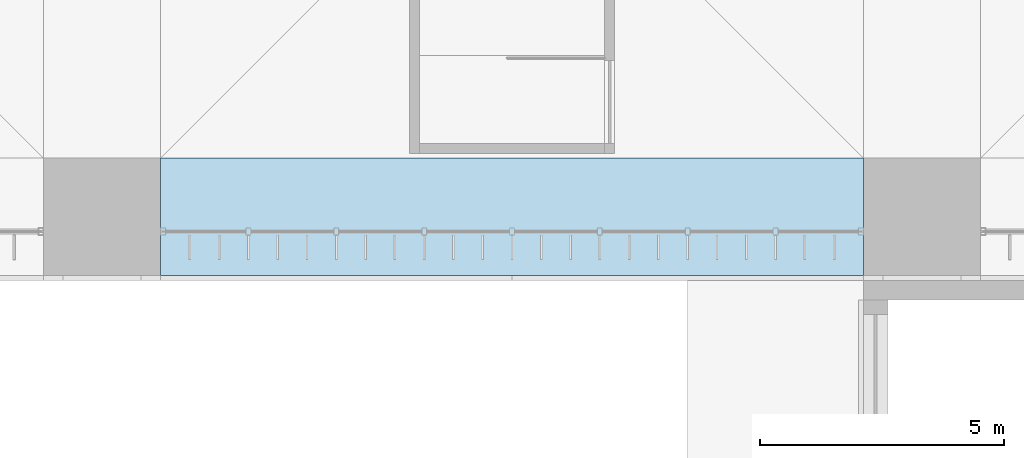
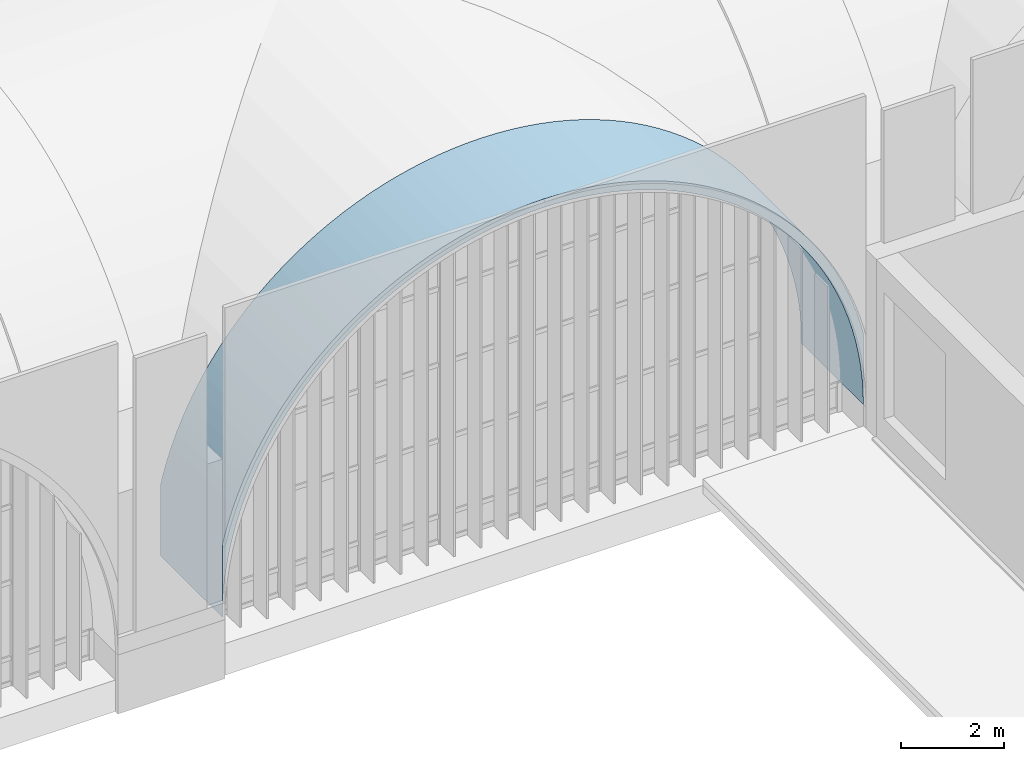
# One storey, part 122 of 169: 1 roof.
"""IFC4 building model written with IfcOpenShell, lengths in metres."""

from ifc_helpers import new_model, si_unit, direction, frame, origin, place, context, subcontext, project, spatial, polygons, material, layer, layer_set, type_object, element, save


model = new_model("IFC4")

# Units and contexts
model_context = context("Model", 3, precision=1e-05, world=origin(), true_north=direction((0.0, 1.0)))
body_context = subcontext(model_context, "Body", "Model", "MODEL_VIEW")
ifc_project = project(units=[si_unit("LENGTHUNIT", "METRE"), si_unit("AREAUNIT", "SQUARE_METRE"), si_unit("VOLUMEUNIT", "CUBIC_METRE"), si_unit("PLANEANGLEUNIT", "RADIAN"), si_unit("MASSUNIT", "GRAM", prefix="KILO")], contexts=[model_context])

# Site, building, storey
site_placement = place(None, origin())
site = spatial("IfcSite", under=ifc_project, at=site_placement, CompositionType="ELEMENT")
building_placement = place(site_placement, origin())
building = spatial("IfcBuilding", under=site, at=building_placement, Name="Verrick Yard Athletic Hall", CompositionType="ELEMENT")
storey_placement = place(building_placement, frame((0.0, 0.0, 4.39990234375)))
storey = spatial("IfcBuildingStorey", under=building, at=storey_placement, Name="L01", CompositionType="ELEMENT", Elevation=4.39990234375)

# Roof
ifc_material = material(Name="Concrete 35 MPa", Category="concrete")
ifc_layer = layer(ifc_material, 0.199951171875)
ifc_layer_set = layer_set([ifc_layer], Name="Arch rib 200")
roof_type = type_object("IfcRoofType", Name="Arch rib 200", PredefinedType="BARREL_ROOF", material=ifc_layer_set)
roof_placement = place(storey_placement, origin())
element("IfcRoof", 1, at=roof_placement, inside=storey, type_object=roof_type, Name="Vault rib S3", PredefinedType="BARREL_ROOF", context=body_context, shape_type="Tessellation", body=[
    polygons([(74.800048828125, 18.0, 2.352294921875), (74.800048828125, 18.0, 0.650146484375), (74.806884765625, 18.0, 0.964111328125), (74.827392578125, 18.0, 1.277587890625), (74.861572265625, 18.0, 1.58984375), (74.909423828125, 18.0, 1.900390625), (74.970703125, 18.0, 2.20849609375), (75.04541015625, 18.0, 2.513671875), (75.13330078125, 18.0, 2.815185546875), (75.234130859375, 18.0, 3.112548828125), (75.34814453125, 18.0, 3.405517578125), (75.474609375, 18.0, 3.693115234375), (75.613525390625, 18.0, 3.974609375), (75.7646484375, 18.0, 4.25), (75.927490234375, 18.0, 4.518798828125), (76.10205078125, 18.0, 4.77978515625), (76.287841796875, 18.0, 5.033203125), (76.484619140625, 18.0, 5.278076171875), (76.691650390625, 18.0, 5.514404296875), (76.90869140625, 18.0, 5.7412109375), (77.1357421875, 18.0, 5.95849609375), (77.371826171875, 18.0, 6.16552734375), (77.616943359375, 18.0, 6.3623046875), (77.8701171875, 18.0, 6.548095703125), (78.13134765625, 18.0, 6.722412109375), (78.39990234375, 18.0, 6.885498046875), (78.67529296875, 18.0, 7.03662109375), (78.95703125, 18.0, 7.175537109375), (79.24462890625, 18.0, 7.302001953125), (79.53759765625, 18.0, 7.416015625), (79.8349609375, 18.0, 7.516845703125), (80.136474609375, 18.0, 7.604736328125), (80.441650390625, 18.0, 7.679443359375), (80.749755859375, 18.0, 7.74072265625), (81.060302734375, 18.0, 7.78857421875), (81.37255859375, 18.0, 7.82275390625), (81.685791015625, 18.0, 7.84326171875), (82.0, 18.0, 7.85009765625), (82.314208984375, 18.0, 7.84326171875), (82.62744140625, 18.0, 7.82275390625), (82.939697265625, 18.0, 7.78857421875), (83.250244140625, 18.0, 7.74072265625), (83.558349609375, 18.0, 7.679443359375), (83.863525390625, 18.0, 7.604736328125), (84.1650390625, 18.0, 7.516845703125), (84.46240234375, 18.0, 7.416015625), (84.75537109375, 18.0, 7.302001953125), (85.04296875, 18.0, 7.175537109375), (85.32470703125, 18.0, 7.03662109375), (85.60009765625, 18.0, 6.885498046875), (85.86865234375, 18.0, 6.722412109375), (86.1298828125, 18.0, 6.548095703125), (86.383056640625, 18.0, 6.3623046875), (86.628173828125, 18.0, 6.16552734375), (86.8642578125, 18.0, 5.95849609375), (87.09130859375, 18.0, 5.7412109375), (87.308349609375, 18.0, 5.514404296875), (87.515380859375, 18.0, 5.278076171875), (87.712158203125, 18.0, 5.033203125), (87.89794921875, 18.0, 4.77978515625), (88.072509765625, 18.0, 4.518798828125), (88.2353515625, 18.0, 4.25), (88.386474609375, 18.0, 3.974609375), (88.525390625, 18.0, 3.693115234375), (88.65185546875, 18.0, 3.405517578125), (88.765869140625, 18.0, 3.112548828125), (88.86669921875, 18.0, 2.815185546875), (88.95458984375, 18.0, 2.513671875), (89.029296875, 18.0, 2.20849609375), (89.090576171875, 18.0, 1.900390625), (89.138427734375, 18.0, 1.58984375), (89.172607421875, 18.0, 1.277587890625), (89.193115234375, 18.0, 0.964111328125), (89.199951171875, 18.0, 0.650146484375), (89.199951171875, 18.0, 2.352294921875), (89.14794921875, 18.0, 2.5654296875), (89.0576171875, 18.0, 2.875244140625), (88.95361328125, 18.0, 3.180908203125), (88.836669921875, 18.0, 3.48193359375), (88.706787109375, 18.0, 3.777587890625), (88.56396484375, 18.0, 4.06689453125), (88.40869140625, 18.0, 4.35009765625), (88.2412109375, 18.0, 4.6259765625), (88.061767578125, 18.0, 4.89453125), (87.870849609375, 18.0, 5.15478515625), (87.668701171875, 18.0, 5.40673828125), (87.455810546875, 18.0, 5.6494140625), (87.232666015625, 18.0, 5.8828125), (86.99951171875, 18.0, 6.10595703125), (86.756591796875, 18.0, 6.31884765625), (86.5048828125, 18.0, 6.52099609375), (86.244384765625, 18.0, 6.7119140625), (85.97607421875, 18.0, 6.89111328125), (85.699951171875, 18.0, 7.05859375), (85.4169921875, 18.0, 7.214111328125), (85.12744140625, 18.0, 7.356689453125), (84.831787109375, 18.0, 7.48681640625), (84.531005859375, 18.0, 7.603759765625), (84.22509765625, 18.0, 7.70751953125), (83.915283203125, 18.0, 7.798095703125), (83.601806640625, 18.0, 7.874755859375), (83.284912109375, 18.0, 7.937744140625), (82.9658203125, 18.0, 7.98681640625), (82.64501953125, 18.0, 8.02197265625), (82.32275390625, 18.0, 8.043212890625), (82.0, 18.0, 8.050048828125), (81.67724609375, 18.0, 8.043212890625), (81.35498046875, 18.0, 8.02197265625), (81.0341796875, 18.0, 7.98681640625), (80.715087890625, 18.0, 7.937744140625), (80.398193359375, 18.0, 7.874755859375), (80.084716796875, 18.0, 7.798095703125), (79.77490234375, 18.0, 7.70751953125), (79.468994140625, 18.0, 7.603759765625), (79.168212890625, 18.0, 7.48681640625), (78.87255859375, 18.0, 7.356689453125), (78.5830078125, 18.0, 7.214111328125), (78.300048828125, 18.0, 7.05859375), (78.02392578125, 18.0, 6.89111328125), (77.755615234375, 18.0, 6.7119140625), (77.4951171875, 18.0, 6.52099609375), (77.243408203125, 18.0, 6.31884765625), (77.00048828125, 18.0, 6.10595703125), (76.767333984375, 18.0, 5.8828125), (76.544189453125, 18.0, 5.6494140625), (76.331298828125, 18.0, 5.40673828125), (76.129150390625, 18.0, 5.15478515625), (75.938232421875, 18.0, 4.89453125), (75.7587890625, 18.0, 4.6259765625), (75.59130859375, 18.0, 4.35009765625), (75.43603515625, 18.0, 4.06689453125), (75.293212890625, 18.0, 3.777587890625), (75.163330078125, 18.0, 3.48193359375), (75.04638671875, 18.0, 3.180908203125), (74.9423828125, 18.0, 2.875244140625), (74.85205078125, 18.0, 2.5654296875), (74.800048828125, 20.39990234375, 2.352294921875), (74.800048828125, 20.39990234375, 0.650146484375), (74.806884765625, 20.39990234375, 0.964111328125), (74.827392578125, 20.39990234375, 1.277587890625), (74.861572265625, 20.39990234375, 1.58984375), (74.909423828125, 20.39990234375, 1.900390625), (74.970703125, 20.39990234375, 2.20849609375), (75.04541015625, 20.39990234375, 2.513671875), (75.13330078125, 20.39990234375, 2.815185546875), (75.234130859375, 20.39990234375, 3.112548828125), (75.34814453125, 20.39990234375, 3.405517578125), (75.474609375, 20.39990234375, 3.693115234375), (75.613525390625, 20.39990234375, 3.974609375), (75.7646484375, 20.39990234375, 4.25), (75.927490234375, 20.39990234375, 4.518798828125), (76.10205078125, 20.39990234375, 4.77978515625), (76.287841796875, 20.39990234375, 5.033203125), (76.484619140625, 20.39990234375, 5.278076171875), (76.691650390625, 20.39990234375, 5.514404296875), (76.90869140625, 20.39990234375, 5.7412109375), (77.1357421875, 20.39990234375, 5.95849609375), (77.371826171875, 20.39990234375, 6.16552734375), (77.616943359375, 20.39990234375, 6.3623046875), (77.8701171875, 20.39990234375, 6.548095703125), (78.13134765625, 20.39990234375, 6.722412109375), (78.39990234375, 20.39990234375, 6.885498046875), (78.67529296875, 20.39990234375, 7.03662109375), (78.95703125, 20.39990234375, 7.175537109375), (79.24462890625, 20.39990234375, 7.302001953125), (79.53759765625, 20.39990234375, 7.416015625), (79.8349609375, 20.39990234375, 7.516845703125), (80.136474609375, 20.39990234375, 7.604736328125), (80.441650390625, 20.39990234375, 7.679443359375), (80.749755859375, 20.39990234375, 7.74072265625), (81.060302734375, 20.39990234375, 7.78857421875), (81.37255859375, 20.39990234375, 7.82275390625), (81.685791015625, 20.39990234375, 7.84326171875), (82.0, 20.39990234375, 7.85009765625), (82.314208984375, 20.39990234375, 7.84326171875), (82.62744140625, 20.39990234375, 7.82275390625), (82.939697265625, 20.39990234375, 7.78857421875), (83.250244140625, 20.39990234375, 7.74072265625), (83.558349609375, 20.39990234375, 7.679443359375), (83.863525390625, 20.39990234375, 7.604736328125), (84.1650390625, 20.39990234375, 7.516845703125), (84.46240234375, 20.39990234375, 7.416015625), (84.75537109375, 20.39990234375, 7.302001953125), (85.04296875, 20.39990234375, 7.175537109375), (85.32470703125, 20.39990234375, 7.03662109375), (85.60009765625, 20.39990234375, 6.885498046875), (85.86865234375, 20.39990234375, 6.722412109375), (86.1298828125, 20.39990234375, 6.548095703125), (86.383056640625, 20.39990234375, 6.3623046875), (86.628173828125, 20.39990234375, 6.16552734375), (86.8642578125, 20.39990234375, 5.95849609375), (87.09130859375, 20.39990234375, 5.7412109375), (87.308349609375, 20.39990234375, 5.514404296875), (87.515380859375, 20.39990234375, 5.278076171875), (87.712158203125, 20.39990234375, 5.033203125), (87.89794921875, 20.39990234375, 4.77978515625), (88.072509765625, 20.39990234375, 4.518798828125), (88.2353515625, 20.39990234375, 4.25), (88.386474609375, 20.39990234375, 3.974609375), (88.525390625, 20.39990234375, 3.693115234375), (88.65185546875, 20.39990234375, 3.405517578125), (88.765869140625, 20.39990234375, 3.112548828125), (88.86669921875, 20.39990234375, 2.815185546875), (88.95458984375, 20.39990234375, 2.513671875), (89.029296875, 20.39990234375, 2.20849609375), (89.090576171875, 20.39990234375, 1.900390625), (89.138427734375, 20.39990234375, 1.58984375), (89.172607421875, 20.39990234375, 1.277587890625), (89.193115234375, 20.39990234375, 0.964111328125), (89.199951171875, 20.39990234375, 0.650146484375), (89.199951171875, 20.39990234375, 2.352294921875), (89.14794921875, 20.39990234375, 2.5654296875), (89.0576171875, 20.39990234375, 2.875244140625), (88.95361328125, 20.39990234375, 3.180908203125), (88.836669921875, 20.39990234375, 3.48193359375), (88.706787109375, 20.39990234375, 3.777587890625), (88.56396484375, 20.39990234375, 4.06689453125), (88.40869140625, 20.39990234375, 4.35009765625), (88.2412109375, 20.39990234375, 4.6259765625), (88.061767578125, 20.39990234375, 4.89453125), (87.870849609375, 20.39990234375, 5.15478515625), (87.668701171875, 20.39990234375, 5.40673828125), (87.455810546875, 20.39990234375, 5.6494140625), (87.232666015625, 20.39990234375, 5.8828125), (86.99951171875, 20.39990234375, 6.10595703125), (86.756591796875, 20.39990234375, 6.31884765625), (86.5048828125, 20.39990234375, 6.52099609375), (86.244384765625, 20.39990234375, 6.7119140625), (85.97607421875, 20.39990234375, 6.89111328125), (85.699951171875, 20.39990234375, 7.05859375), (85.4169921875, 20.39990234375, 7.214111328125), (85.12744140625, 20.39990234375, 7.356689453125), (84.831787109375, 20.39990234375, 7.48681640625), (84.531005859375, 20.39990234375, 7.603759765625), (84.22509765625, 20.39990234375, 7.70751953125), (83.915283203125, 20.39990234375, 7.798095703125), (83.601806640625, 20.39990234375, 7.874755859375), (83.284912109375, 20.39990234375, 7.937744140625), (82.9658203125, 20.39990234375, 7.98681640625), (82.64501953125, 20.39990234375, 8.02197265625), (82.32275390625, 20.39990234375, 8.043212890625), (82.0, 20.39990234375, 8.050048828125), (81.67724609375, 20.39990234375, 8.043212890625), (81.35498046875, 20.39990234375, 8.02197265625), (81.0341796875, 20.39990234375, 7.98681640625), (80.715087890625, 20.39990234375, 7.937744140625), (80.398193359375, 20.39990234375, 7.874755859375), (80.084716796875, 20.39990234375, 7.798095703125), (79.77490234375, 20.39990234375, 7.70751953125), (79.468994140625, 20.39990234375, 7.603759765625), (79.168212890625, 20.39990234375, 7.48681640625), (78.87255859375, 20.39990234375, 7.356689453125), (78.5830078125, 20.39990234375, 7.214111328125), (78.300048828125, 20.39990234375, 7.05859375), (78.02392578125, 20.39990234375, 6.89111328125), (77.755615234375, 20.39990234375, 6.7119140625), (77.4951171875, 20.39990234375, 6.52099609375), (77.243408203125, 20.39990234375, 6.31884765625), (77.00048828125, 20.39990234375, 6.10595703125), (76.767333984375, 20.39990234375, 5.8828125), (76.544189453125, 20.39990234375, 5.6494140625), (76.331298828125, 20.39990234375, 5.40673828125), (76.129150390625, 20.39990234375, 5.15478515625), (75.938232421875, 20.39990234375, 4.89453125), (75.7587890625, 20.39990234375, 4.6259765625), (75.59130859375, 20.39990234375, 4.35009765625), (75.43603515625, 20.39990234375, 4.06689453125), (75.293212890625, 20.39990234375, 3.777587890625), (75.163330078125, 20.39990234375, 3.48193359375), (75.04638671875, 20.39990234375, 3.180908203125), (74.9423828125, 20.39990234375, 2.875244140625), (74.85205078125, 20.39990234375, 2.5654296875)], [[[1, 2, 3]], [[137, 139, 138]], [[136, 1, 3]], [[272, 139, 137]], [[136, 3, 4]], [[272, 140, 139]], [[136, 4, 5]], [[272, 141, 140]], [[136, 5, 6]], [[272, 142, 141]], [[136, 6, 7]], [[272, 143, 142]], [[136, 7, 8]], [[272, 144, 143]], [[136, 8, 9]], [[272, 145, 144]], [[136, 9, 10]], [[272, 146, 145]], [[136, 10, 11]], [[272, 147, 146]], [[136, 11, 12]], [[272, 148, 147]], [[136, 12, 13]], [[272, 149, 148]], [[73, 74, 75]], [[209, 211, 210]], [[72, 73, 75]], [[208, 211, 209]], [[71, 72, 75]], [[207, 211, 208]], [[70, 71, 75]], [[206, 211, 207]], [[69, 70, 75]], [[205, 211, 206]], [[68, 69, 75]], [[204, 211, 205]], [[67, 68, 75]], [[203, 211, 204]], [[66, 67, 75]], [[202, 211, 203]], [[65, 66, 75]], [[201, 211, 202]], [[64, 65, 75]], [[200, 211, 201]], [[63, 64, 75]], [[199, 211, 200]], [[63, 75, 76]], [[199, 212, 211]], [[63, 76, 77]], [[199, 213, 212]], [[62, 63, 77]], [[198, 213, 199]], [[62, 77, 78]], [[198, 214, 213]], [[61, 62, 78]], [[197, 214, 198]], [[61, 78, 79]], [[197, 215, 214]], [[60, 61, 79]], [[196, 215, 197]], [[60, 79, 80]], [[196, 216, 215]], [[59, 60, 80]], [[195, 216, 196]], [[59, 80, 81]], [[195, 217, 216]], [[58, 59, 81]], [[194, 217, 195]], [[58, 81, 82]], [[194, 218, 217]], [[57, 58, 82]], [[193, 218, 194]], [[57, 82, 83]], [[193, 219, 218]], [[56, 57, 83]], [[192, 219, 193]], [[56, 83, 84]], [[192, 220, 219]], [[55, 56, 84]], [[191, 220, 192]], [[55, 84, 85]], [[191, 221, 220]], [[54, 55, 85]], [[190, 221, 191]], [[54, 85, 86]], [[190, 222, 221]], [[53, 54, 86]], [[189, 222, 190]], [[53, 86, 87]], [[189, 223, 222]], [[52, 53, 87]], [[188, 223, 189]], [[52, 87, 88]], [[188, 224, 223]], [[51, 52, 88]], [[187, 224, 188]], [[51, 88, 89]], [[187, 225, 224]], [[50, 51, 89]], [[186, 225, 187]], [[50, 89, 90]], [[186, 226, 225]], [[49, 50, 90]], [[185, 226, 186]], [[49, 90, 91]], [[185, 227, 226]], [[48, 49, 91]], [[184, 227, 185]], [[48, 91, 92]], [[184, 228, 227]], [[47, 48, 92]], [[183, 228, 184]], [[47, 92, 93]], [[183, 229, 228]], [[46, 47, 93]], [[182, 229, 183]], [[46, 93, 94]], [[182, 230, 229]], [[45, 46, 94]], [[181, 230, 182]], [[45, 94, 95]], [[181, 231, 230]], [[44, 45, 95]], [[180, 231, 181]], [[44, 95, 96]], [[180, 232, 231]], [[43, 44, 96]], [[179, 232, 180]], [[43, 96, 97]], [[179, 233, 232]], [[42, 43, 97]], [[178, 233, 179]], [[42, 97, 98]], [[178, 234, 233]], [[41, 42, 98]], [[177, 234, 178]], [[41, 98, 99]], [[177, 235, 234]], [[40, 41, 99]], [[176, 235, 177]], [[40, 99, 100]], [[176, 236, 235]], [[39, 40, 100]], [[175, 236, 176]], [[39, 100, 101]], [[175, 237, 236]], [[38, 39, 101]], [[174, 237, 175]], [[38, 101, 102]], [[174, 238, 237]], [[37, 38, 102]], [[173, 238, 174]], [[37, 102, 103]], [[173, 239, 238]], [[36, 37, 103]], [[172, 239, 173]], [[36, 103, 104]], [[172, 240, 239]], [[35, 36, 104]], [[171, 240, 172]], [[35, 104, 105]], [[171, 241, 240]], [[34, 35, 105]], [[170, 241, 171]], [[34, 105, 106]], [[170, 242, 241]], [[33, 34, 106]], [[169, 242, 170]], [[33, 106, 107]], [[169, 243, 242]], [[32, 33, 107]], [[168, 243, 169]], [[32, 107, 108]], [[168, 244, 243]], [[31, 32, 108]], [[167, 244, 168]], [[31, 108, 109]], [[167, 245, 244]], [[30, 31, 109]], [[166, 245, 167]], [[30, 109, 110]], [[166, 246, 245]], [[29, 30, 110]], [[165, 246, 166]], [[29, 110, 111]], [[165, 247, 246]], [[28, 29, 111]], [[164, 247, 165]], [[28, 111, 112]], [[164, 248, 247]], [[27, 28, 112]], [[163, 248, 164]], [[27, 112, 113]], [[163, 249, 248]], [[26, 27, 113]], [[162, 249, 163]], [[26, 113, 114]], [[162, 250, 249]], [[25, 26, 114]], [[161, 250, 162]], [[25, 114, 115]], [[161, 251, 250]], [[24, 25, 115]], [[160, 251, 161]], [[24, 115, 116]], [[160, 252, 251]], [[23, 24, 116]], [[159, 252, 160]], [[23, 116, 117]], [[159, 253, 252]], [[22, 23, 117]], [[158, 253, 159]], [[22, 117, 118]], [[158, 254, 253]], [[21, 22, 118]], [[157, 254, 158]], [[21, 118, 119]], [[157, 255, 254]], [[20, 21, 119]], [[156, 255, 157]], [[20, 119, 120]], [[156, 256, 255]], [[19, 20, 120]], [[155, 256, 156]], [[19, 120, 121]], [[155, 257, 256]], [[18, 19, 121]], [[154, 257, 155]], [[18, 121, 122]], [[154, 258, 257]], [[17, 18, 122]], [[153, 258, 154]], [[17, 122, 123]], [[153, 259, 258]], [[16, 17, 123]], [[152, 259, 153]], [[16, 123, 124]], [[152, 260, 259]], [[15, 16, 124]], [[151, 260, 152]], [[15, 124, 125]], [[151, 261, 260]], [[14, 15, 125]], [[150, 261, 151]], [[14, 125, 126]], [[150, 262, 261]], [[13, 14, 126]], [[149, 262, 150]], [[136, 13, 126]], [[272, 262, 149]], [[136, 126, 127]], [[272, 263, 262]], [[136, 127, 128]], [[272, 264, 263]], [[136, 128, 129]], [[272, 265, 264]], [[136, 129, 130]], [[272, 266, 265]], [[136, 130, 131]], [[272, 267, 266]], [[136, 131, 132]], [[272, 268, 267]], [[136, 132, 133]], [[272, 269, 268]], [[136, 133, 134]], [[272, 270, 269]], [[134, 135, 136]], [[270, 272, 271]], [[1, 138, 2]], [[1, 137, 138]], [[2, 139, 3]], [[2, 138, 139]], [[3, 140, 4]], [[3, 139, 140]], [[4, 141, 5]], [[4, 140, 141]], [[5, 142, 6]], [[5, 141, 142]], [[6, 143, 7]], [[6, 142, 143]], [[7, 144, 8]], [[7, 143, 144]], [[8, 145, 9]], [[8, 144, 145]], [[9, 146, 10]], [[9, 145, 146]], [[10, 147, 11]], [[10, 146, 147]], [[11, 148, 12]], [[11, 147, 148]], [[12, 149, 13]], [[12, 148, 149]], [[13, 150, 14]], [[13, 149, 150]], [[14, 151, 15]], [[14, 150, 151]], [[15, 152, 16]], [[15, 151, 152]], [[16, 153, 17]], [[16, 152, 153]], [[17, 154, 18]], [[17, 153, 154]], [[18, 155, 19]], [[18, 154, 155]], [[19, 156, 20]], [[19, 155, 156]], [[20, 157, 21]], [[20, 156, 157]], [[21, 158, 22]], [[21, 157, 158]], [[22, 159, 23]], [[22, 158, 159]], [[23, 160, 24]], [[23, 159, 160]], [[24, 161, 25]], [[24, 160, 161]], [[25, 162, 26]], [[25, 161, 162]], [[26, 163, 27]], [[26, 162, 163]], [[27, 164, 28]], [[27, 163, 164]], [[28, 165, 29]], [[28, 164, 165]], [[29, 166, 30]], [[29, 165, 166]], [[30, 167, 31]], [[30, 166, 167]], [[31, 168, 32]], [[31, 167, 168]], [[32, 169, 33]], [[32, 168, 169]], [[33, 170, 34]], [[33, 169, 170]], [[34, 171, 35]], [[34, 170, 171]], [[35, 172, 36]], [[35, 171, 172]], [[36, 173, 37]], [[36, 172, 173]], [[37, 174, 38]], [[37, 173, 174]], [[38, 175, 39]], [[38, 174, 175]], [[39, 176, 40]], [[39, 175, 176]], [[40, 177, 41]], [[40, 176, 177]], [[41, 178, 42]], [[41, 177, 178]], [[42, 179, 43]], [[42, 178, 179]], [[43, 180, 44]], [[43, 179, 180]], [[44, 181, 45]], [[44, 180, 181]], [[45, 182, 46]], [[45, 181, 182]], [[46, 183, 47]], [[46, 182, 183]], [[47, 184, 48]], [[47, 183, 184]], [[48, 185, 49]], [[48, 184, 185]], [[49, 186, 50]], [[49, 185, 186]], [[50, 187, 51]], [[50, 186, 187]], [[51, 188, 52]], [[51, 187, 188]], [[52, 189, 53]], [[52, 188, 189]], [[53, 190, 54]], [[53, 189, 190]], [[54, 191, 55]], [[54, 190, 191]], [[55, 192, 56]], [[55, 191, 192]], [[56, 193, 57]], [[56, 192, 193]], [[57, 194, 58]], [[57, 193, 194]], [[58, 195, 59]], [[58, 194, 195]], [[59, 196, 60]], [[59, 195, 196]], [[60, 197, 61]], [[60, 196, 197]], [[61, 198, 62]], [[61, 197, 198]], [[62, 199, 63]], [[62, 198, 199]], [[63, 200, 64]], [[63, 199, 200]], [[64, 201, 65]], [[64, 200, 201]], [[65, 202, 66]], [[65, 201, 202]], [[66, 203, 67]], [[66, 202, 203]], [[67, 204, 68]], [[67, 203, 204]], [[68, 205, 69]], [[68, 204, 205]], [[69, 206, 70]], [[69, 205, 206]], [[70, 207, 71]], [[70, 206, 207]], [[71, 208, 72]], [[71, 207, 208]], [[72, 209, 73]], [[72, 208, 209]], [[73, 210, 74]], [[73, 209, 210]], [[74, 211, 75]], [[74, 210, 211]], [[75, 212, 76]], [[75, 211, 212]], [[76, 213, 77]], [[76, 212, 213]], [[77, 214, 78]], [[77, 213, 214]], [[78, 215, 79]], [[78, 214, 215]], [[79, 216, 80]], [[79, 215, 216]], [[80, 217, 81]], [[80, 216, 217]], [[81, 218, 82]], [[81, 217, 218]], [[82, 219, 83]], [[82, 218, 219]], [[83, 220, 84]], [[83, 219, 220]], [[84, 221, 85]], [[84, 220, 221]], [[85, 222, 86]], [[85, 221, 222]], [[86, 223, 87]], [[86, 222, 223]], [[87, 224, 88]], [[87, 223, 224]], [[88, 225, 89]], [[88, 224, 225]], [[89, 226, 90]], [[89, 225, 226]], [[90, 227, 91]], [[90, 226, 227]], [[91, 228, 92]], [[91, 227, 228]], [[92, 229, 93]], [[92, 228, 229]], [[93, 230, 94]], [[93, 229, 230]], [[94, 231, 95]], [[94, 230, 231]], [[95, 232, 96]], [[95, 231, 232]], [[96, 233, 97]], [[96, 232, 233]], [[97, 234, 98]], [[97, 233, 234]], [[98, 235, 99]], [[98, 234, 235]], [[99, 236, 100]], [[99, 235, 236]], [[100, 237, 101]], [[100, 236, 237]], [[101, 238, 102]], [[101, 237, 238]], [[102, 239, 103]], [[102, 238, 239]], [[103, 240, 104]], [[103, 239, 240]], [[104, 241, 105]], [[104, 240, 241]], [[105, 242, 106]], [[105, 241, 242]], [[106, 243, 107]], [[106, 242, 243]], [[107, 244, 108]], [[107, 243, 244]], [[108, 245, 109]], [[108, 244, 245]], [[109, 246, 110]], [[109, 245, 246]], [[110, 247, 111]], [[110, 246, 247]], [[111, 248, 112]], [[111, 247, 248]], [[112, 249, 113]], [[112, 248, 249]], [[113, 250, 114]], [[113, 249, 250]], [[114, 251, 115]], [[114, 250, 251]], [[115, 252, 116]], [[115, 251, 252]], [[116, 253, 117]], [[116, 252, 253]], [[117, 254, 118]], [[117, 253, 254]], [[118, 255, 119]], [[118, 254, 255]], [[119, 256, 120]], [[119, 255, 256]], [[120, 257, 121]], [[120, 256, 257]], [[121, 258, 122]], [[121, 257, 258]], [[122, 259, 123]], [[122, 258, 259]], [[123, 260, 124]], [[123, 259, 260]], [[124, 261, 125]], [[124, 260, 261]], [[125, 262, 126]], [[125, 261, 262]], [[126, 263, 127]], [[126, 262, 263]], [[127, 264, 128]], [[127, 263, 264]], [[128, 265, 129]], [[128, 264, 265]], [[129, 266, 130]], [[129, 265, 266]], [[130, 267, 131]], [[130, 266, 267]], [[131, 268, 132]], [[131, 267, 268]], [[132, 269, 133]], [[132, 268, 269]], [[133, 270, 134]], [[133, 269, 270]], [[134, 271, 135]], [[134, 270, 271]], [[135, 272, 136]], [[135, 271, 272]], [[136, 137, 1]], [[136, 272, 137]]], closed=True),
])

save(model, "model.ifc")
